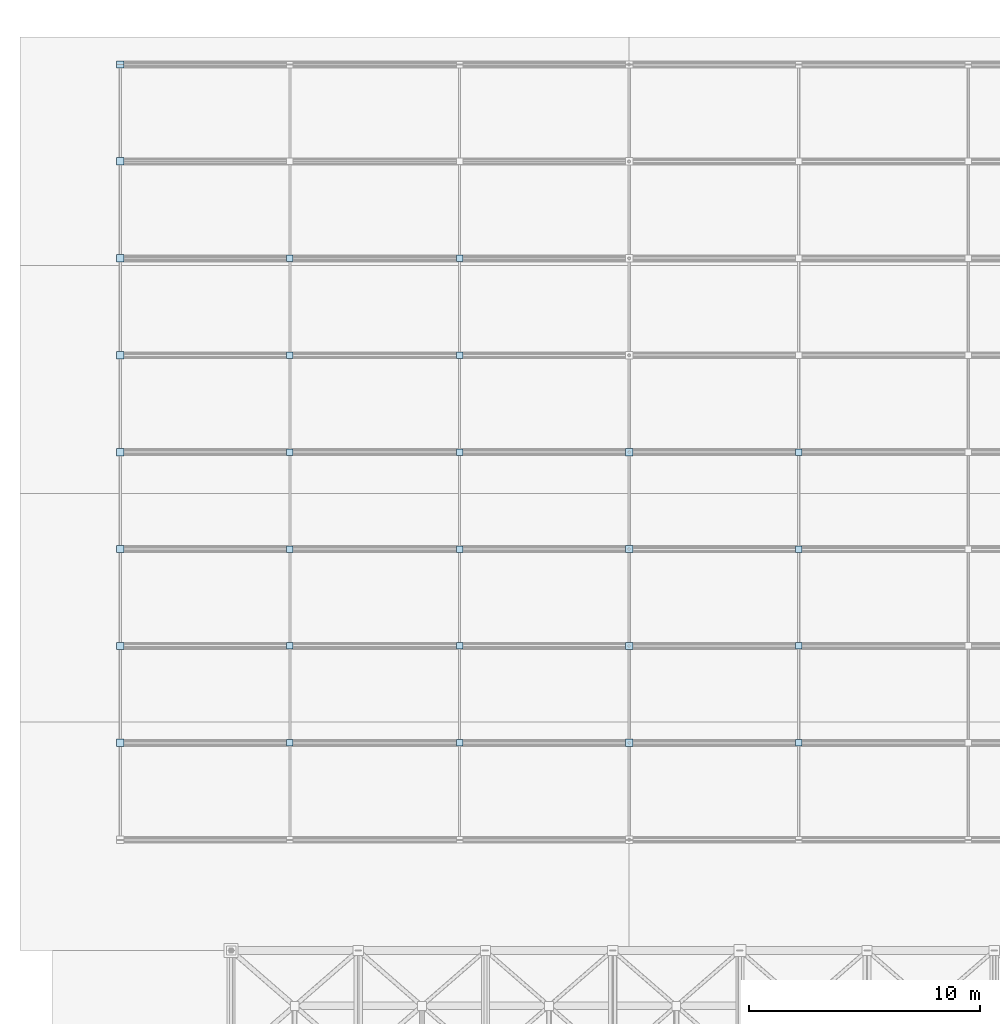
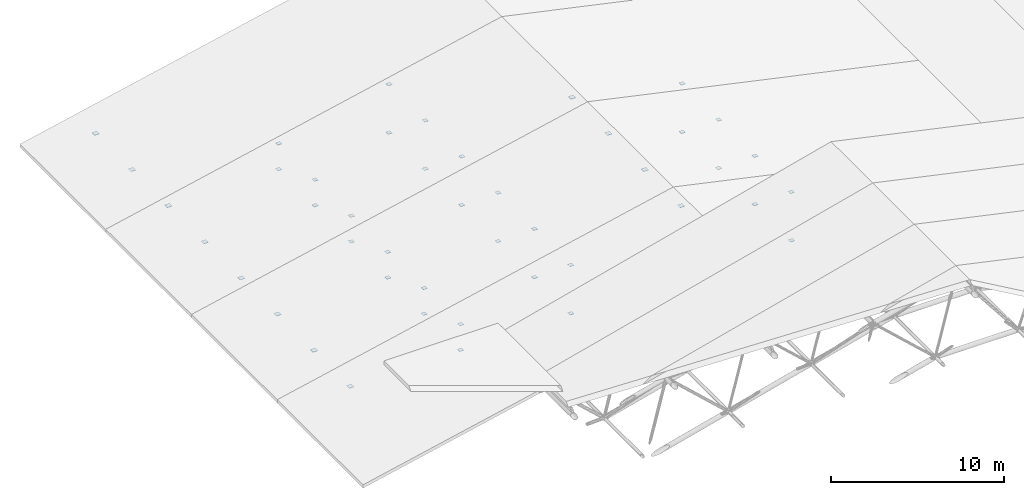
# One storey, part 52 of 60: 44 plates.
"""IFC4 building model written with IfcOpenShell, lengths in metres."""

from ifc_helpers import new_model, si_unit, direction, frame, origin, origin_2d, place, context, subcontext, project, spatial, rectangle, extrude, material, type_object, element, save


model = new_model("IFC4")

# Units and contexts
model_context = context("Model", 3, precision=1e-05, world=origin(), true_north=direction((0.0, 1.0)))
body_context = subcontext(model_context, "Body", "Model", "MODEL_VIEW")
ifc_project = project(units=[si_unit("LENGTHUNIT", "METRE"), si_unit("AREAUNIT", "SQUARE_METRE"), si_unit("VOLUMEUNIT", "CUBIC_METRE"), si_unit("PLANEANGLEUNIT", "RADIAN"), si_unit("MASSUNIT", "GRAM", prefix="KILO")], contexts=[model_context])

# Site, building, storey
site_placement = place(None, origin())
site = spatial("IfcSite", under=ifc_project, at=site_placement, CompositionType="ELEMENT")
building_placement = place(site_placement, origin())
building = spatial("IfcBuilding", under=site, at=building_placement, Name="Nakhvara Creek Congress Hotel", CompositionType="ELEMENT")
storey_placement = place(building_placement, frame((0.0, 0.0, 54.60009765625)))
storey = spatial("IfcBuildingStorey", under=building, at=storey_placement, Name="RL1", CompositionType="ELEMENT", Elevation=54.60009765625)

# Plates
ifc_material = material(Name="Steel S355J2", Category="steel")
plate_type_1 = type_object("IfcPlateType", Name="PLT-NODE-280X280X18", PredefinedType="USERDEFINED", material=ifc_material)
for number, where, z_axis, x_axis, name in (
    (1, (11.699951171875, 95.39990234375, -41.899169921875), (0.0, 0.0, 1.0), (1.0, 0.0, 0.0), "Ballroom Truss Node Gusset Plate SN-013"),
    (2, (11.699951171875, 95.39990234375, -40.089111328125), (0.0, 0.0, 1.0), (1.0, 0.0, 0.0), "Ballroom Truss Rafter Gusset Plate SN-014"),
    (3, (19.050048828125, 95.39990234375, -41.899169921875), (0.0, 0.0, 1.0), (1.0, 0.0, 0.0), "Ballroom Truss Node Gusset Plate SN-015"),
    (4, (19.050048828125, 95.39990234375, -38.489013671875), (0.0, 0.0, 1.0), (1.0, 0.0, 0.0), "Ballroom Truss Rafter Gusset Plate SN-016"),
    (5, (33.75, 95.39990234375, -41.899169921875), (0.0, 0.0, 1.0), (1.0, 0.0, 0.0), "Ballroom Truss Node Gusset Plate SN-018"),
    (6, (33.75, 95.39990234375, -38.489013671875), (0.0, 0.0, 1.0), (1.0, 0.0, 0.0), "Ballroom Truss Rafter Gusset Plate SN-019"),
    (7, (11.699951171875, 99.60009765625, -41.899169921875), (0.0, 0.0, 1.0), (1.0, 0.0, 0.0), "Ballroom Truss Node Gusset Plate SN-024"),
    (8, (11.699951171875, 99.60009765625, -40.089111328125), (0.0, 0.0, 1.0), (1.0, 0.0, 0.0), "Ballroom Truss Rafter Gusset Plate SN-025"),
    (9, (19.050048828125, 99.60009765625, -41.899169921875), (0.0, 0.0, 1.0), (1.0, 0.0, 0.0), "Ballroom Truss Node Gusset Plate SN-026"),
    (10, (19.050048828125, 99.60009765625, -38.489013671875), (0.0, 0.0, 1.0), (1.0, 0.0, 0.0), "Ballroom Truss Rafter Gusset Plate SN-027"),
    (11, (33.75, 99.60009765625, -41.899169921875), (0.0, 0.0, 1.0), (1.0, 0.0, 0.0), "Ballroom Truss Node Gusset Plate SN-029"),
    (12, (33.75, 99.60009765625, -38.489013671875), (0.0, 0.0, 1.0), (1.0, 0.0, 0.0), "Ballroom Truss Rafter Gusset Plate SN-030"),
    (13, (11.699951171875, 103.800048828125, -41.899169921875), (0.0, 0.0, 1.0), (1.0, 0.0, 0.0), "Ballroom Truss Node Gusset Plate SN-035"),
    (14, (11.699951171875, 103.800048828125, -40.089111328125), (0.0, 0.0, 1.0), (1.0, 0.0, 0.0), "Ballroom Truss Rafter Gusset Plate SN-036"),
    (15, (19.050048828125, 103.800048828125, -41.899169921875), (0.0, 0.0, 1.0), (1.0, 0.0, 0.0), "Ballroom Truss Node Gusset Plate SN-037"),
    (16, (19.050048828125, 103.800048828125, -38.489013671875), (0.0, 0.0, 1.0), (1.0, 0.0, 0.0), "Ballroom Truss Rafter Gusset Plate SN-038"),
    (17, (33.75, 103.800048828125, -41.899169921875), (0.0, 0.0, 1.0), (1.0, 0.0, 0.0), "Ballroom Truss Node Gusset Plate SN-040"),
    (18, (33.75, 103.800048828125, -38.489013671875), (0.0, 0.0, 1.0), (1.0, 0.0, 0.0), "Ballroom Truss Rafter Gusset Plate SN-041"),
    (19, (11.699951171875, 108.0, -41.899169921875), (0.0, 0.0, 1.0), (1.0, 0.0, 0.0), "Ballroom Truss Node Gusset Plate SN-046"),
    (20, (11.699951171875, 108.0, -40.089111328125), (0.0, 0.0, 1.0), (1.0, 0.0, 0.0), "Ballroom Truss Rafter Gusset Plate SN-047"),
    (21, (19.050048828125, 108.0, -41.899169921875), (0.0, 0.0, 1.0), (1.0, 0.0, 0.0), "Ballroom Truss Node Gusset Plate SN-048"),
    (22, (19.050048828125, 108.0, -38.489013671875), (0.0, 0.0, 1.0), (1.0, 0.0, 0.0), "Ballroom Truss Rafter Gusset Plate SN-049"),
    (23, (33.75, 108.0, -41.899169921875), (0.0, 0.0, 1.0), (1.0, 0.0, 0.0), "Ballroom Truss Node Gusset Plate SN-051"),
    (24, (33.75, 108.0, -38.489013671875), (0.0, 0.0, 1.0), (1.0, 0.0, 0.0), "Ballroom Truss Rafter Gusset Plate SN-052"),
    (25, (11.699951171875, 112.199951171875, -41.899169921875), (0.0, 0.0, 1.0), (1.0, 0.0, 0.0), "Ballroom Truss Node Gusset Plate SN-057"),
    (26, (11.699951171875, 112.199951171875, -40.089111328125), (0.0, 0.0, 1.0), (1.0, 0.0, 0.0), "Ballroom Truss Rafter Gusset Plate SN-058"),
    (27, (19.050048828125, 112.199951171875, -41.899169921875), (0.0, 0.0, 1.0), (1.0, 0.0, 0.0), "Ballroom Truss Node Gusset Plate SN-059"),
    (28, (19.050048828125, 112.199951171875, -38.489013671875), (0.0, 0.0, 1.0), (1.0, 0.0, 0.0), "Ballroom Truss Rafter Gusset Plate SN-060"),
    (29, (11.699951171875, 116.39990234375, -41.899169921875), (0.0, 0.0, 1.0), (1.0, 0.0, 0.0), "Ballroom Truss Node Gusset Plate SN-068"),
    (30, (11.699951171875, 116.39990234375, -40.089111328125), (0.0, 0.0, 1.0), (1.0, 0.0, 0.0), "Ballroom Truss Rafter Gusset Plate SN-069"),
    (31, (19.050048828125, 116.39990234375, -41.899169921875), (0.0, 0.0, 1.0), (1.0, 0.0, 0.0), "Ballroom Truss Node Gusset Plate SN-070"),
    (32, (19.050048828125, 116.39990234375, -38.489013671875), (0.0, 0.0, 1.0), (1.0, 0.0, 0.0), "Ballroom Truss Rafter Gusset Plate SN-071"),
):
    element("IfcPlate", number, at=place(storey_placement, frame(where, z_axis=z_axis, x_axis=x_axis)), inside=storey, type_object=plate_type_1, Name=name, ObjectType="GUSSET_PLATE", PredefinedType="USERDEFINED", context=body_context, shape_type="SweptSolid", body=[
        extrude(rectangle(XDim=0.280029296875, YDim=0.280029296875, at=origin_2d()), origin(), (0.0, 0.0, 1.0), 0.01806640625),
    ])
plate_type_2 = type_object("IfcPlateType", Name="PLT-NODE-320X320X20", PredefinedType="USERDEFINED", material=ifc_material)
for number, where, z_axis, x_axis, name in (
    (33, (4.35009765625, 95.39990234375, -41.900146484375), (0.0, 0.0, 1.0), (1.0, 0.0, 0.0), "Ballroom Truss Node Gusset Plate SN-012"),
    (34, (26.39990234375, 95.39990234375, -36.89013671875), (0.0, 0.0, 1.0), (1.0, 0.0, 0.0), "Ballroom Truss Node Gusset Plate SN-017"),
    (35, (4.35009765625, 99.60009765625, -41.900146484375), (0.0, 0.0, 1.0), (1.0, 0.0, 0.0), "Ballroom Truss Node Gusset Plate SN-023"),
    (36, (26.39990234375, 99.60009765625, -36.89013671875), (0.0, 0.0, 1.0), (1.0, 0.0, 0.0), "Ballroom Truss Node Gusset Plate SN-028"),
    (37, (4.35009765625, 103.800048828125, -41.900146484375), (0.0, 0.0, 1.0), (1.0, 0.0, 0.0), "Ballroom Truss Node Gusset Plate SN-034"),
    (38, (26.39990234375, 103.800048828125, -36.89013671875), (0.0, 0.0, 1.0), (1.0, 0.0, 0.0), "Ballroom Truss Node Gusset Plate SN-039"),
    (39, (4.35009765625, 108.0, -41.900146484375), (0.0, 0.0, 1.0), (1.0, 0.0, 0.0), "Ballroom Truss Node Gusset Plate SN-045"),
    (40, (26.39990234375, 108.0, -36.89013671875), (0.0, 0.0, 1.0), (1.0, 0.0, 0.0), "Ballroom Truss Node Gusset Plate SN-050"),
    (41, (4.35009765625, 112.199951171875, -41.900146484375), (0.0, 0.0, 1.0), (1.0, 0.0, 0.0), "Ballroom Truss Node Gusset Plate SN-056"),
    (42, (4.35009765625, 116.39990234375, -41.900146484375), (0.0, 0.0, 1.0), (1.0, 0.0, 0.0), "Ballroom Truss Node Gusset Plate SN-067"),
    (43, (4.35009765625, 120.60009765625, -41.900146484375), (0.0, 0.0, 1.0), (1.0, 0.0, 0.0), "Ballroom Truss Node Gusset Plate SN-078"),
    (44, (4.35009765625, 124.800048828125, -41.900146484375), (0.0, 0.0, 1.0), (1.0, 0.0, 0.0), "Ballroom Truss Node Gusset Plate SN-089"),
):
    element("IfcPlate", number, at=place(storey_placement, frame(where, z_axis=z_axis, x_axis=x_axis)), inside=storey, type_object=plate_type_2, Name=name, ObjectType="GUSSET_PLATE", PredefinedType="USERDEFINED", context=body_context, shape_type="SweptSolid", body=[
        extrude(rectangle(XDim=0.320068359375, YDim=0.320068359375, at=origin_2d()), origin(), (0.0, 0.0, 1.0), 0.02001953125),
    ])

save(model, "model.ifc")
